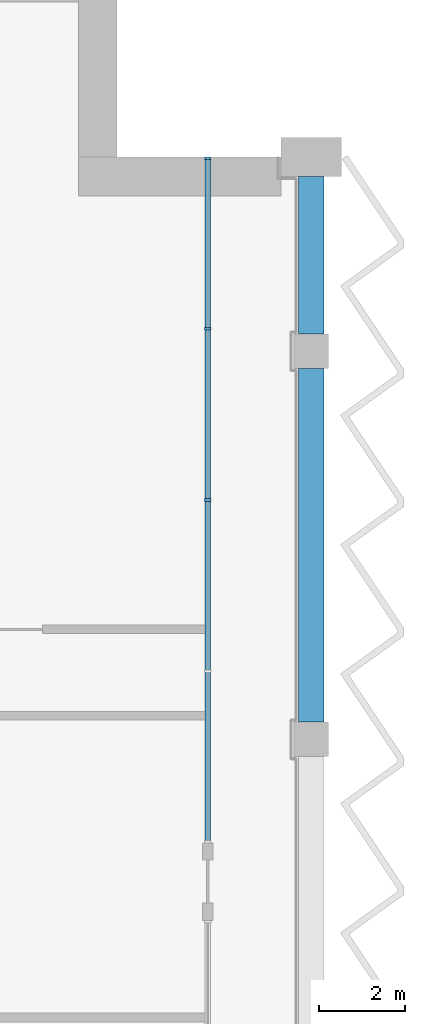
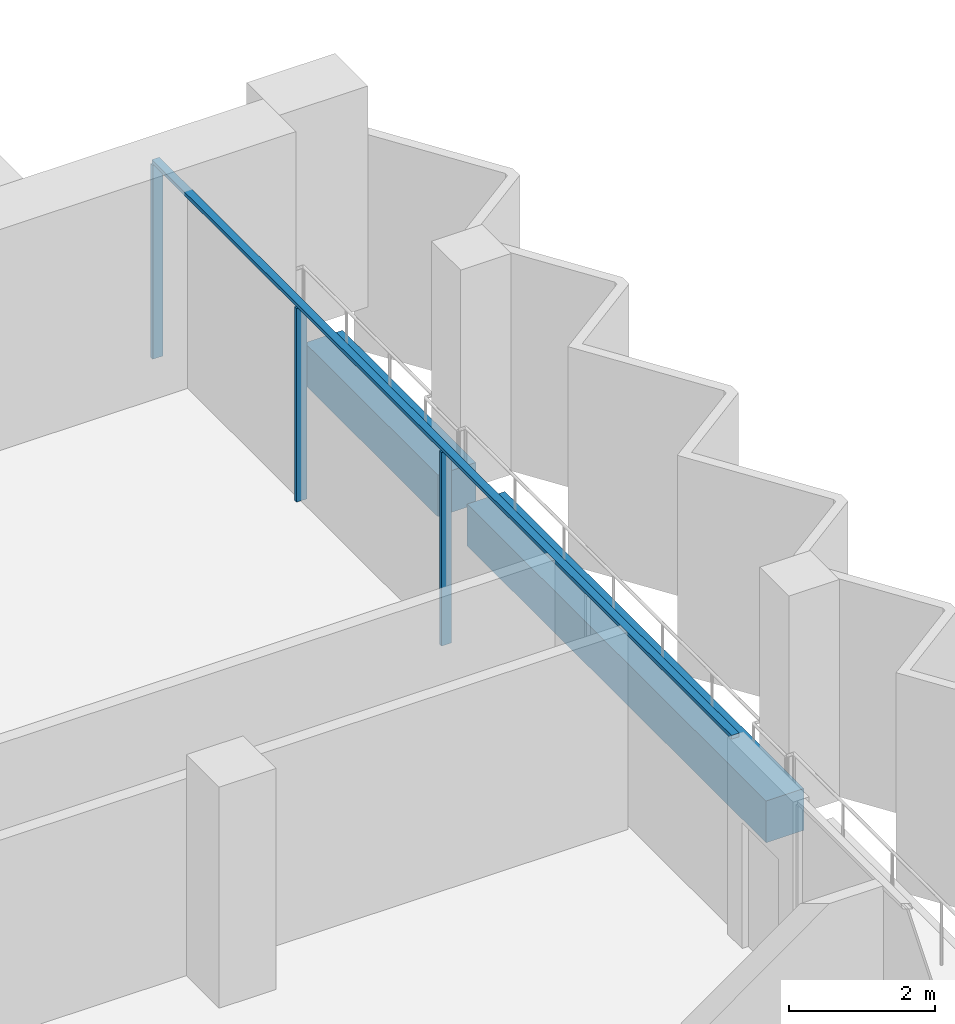
# One storey, part 5 of 14: 4 members, 2 beams, 1 element without a shape of its own.
"""IFC4 building model written with IfcOpenShell, lengths in metres."""

from ifc_helpers import new_model, si_unit, direction, frame, origin, origin_2d, place, context, subcontext, project, spatial, rectangle, extrude, material, material_profile, profile_set, type_object, element, aggregate, save


model = new_model("IFC4")

# Units and contexts
model_context = context("Model", 3, precision=1e-05, world=origin(), true_north=direction((0.0, 1.0)))
body_context = subcontext(model_context, "Body", "Model", "MODEL_VIEW")
ifc_project = project(units=[si_unit("LENGTHUNIT", "METRE"), si_unit("AREAUNIT", "SQUARE_METRE"), si_unit("VOLUMEUNIT", "CUBIC_METRE"), si_unit("PLANEANGLEUNIT", "RADIAN"), si_unit("MASSUNIT", "GRAM", prefix="KILO")], contexts=[model_context])

# Site, building, storey
site_placement = place(None, origin())
site = spatial("IfcSite", under=ifc_project, at=site_placement, CompositionType="ELEMENT")
building_placement = place(site_placement, origin())
building = spatial("IfcBuilding", under=site, at=building_placement, Name="Hunhe Ridgeline Campus", CompositionType="ELEMENT")
storey_placement = place(building_placement, frame((0.0, 0.0, 284.5)))
storey = spatial("IfcBuildingStorey", under=building, at=storey_placement, Name="L73", CompositionType="ELEMENT", Elevation=284.5)

# Curtain wall, members
ifc_material_1 = material(Name="Aluminium 6063", Category="aluminium")
curtain_wall_type = type_object("IfcCurtainWallType", Name="Curtain wall CW-1", PredefinedType="NOTDEFINED", material=ifc_material_1)
curtain_wall_placement = place(storey_placement, origin())
curtain_wall = element("IfcCurtainWall", 1, at=curtain_wall_placement, inside=storey, type_object=curtain_wall_type, Name="Curtain wall 12", PredefinedType="NOTDEFINED")
ifc_material_profile_1 = material_profile(ifc_material_1, rectangle(XDim=0.159912109375, YDim=0.06005859375, at=origin_2d()))
ifc_profile_set_1 = profile_set([ifc_material_profile_1], Name="Aluminium 6063")
member_type_1 = type_object("IfcMemberType", Name="CW-1 aluminium mullion", PredefinedType="MULLION", material=ifc_profile_set_1)
member_1_placement = place(storey_placement, frame((51.59912109375, 86.55029296875, 0.0), z_axis=(0.0, 0.0, 1.0), x_axis=(-1.0, 0.0, 0.0)))
member_1 = element("IfcMember", 2, at=member_1_placement, type_object=member_type_1, Name="CW-1 mullion 3", PredefinedType="MULLION", context=body_context, shape_type="SweptSolid", body=[
    extrude(rectangle(XDim=0.159912109375, YDim=0.06005859375, at=origin_2d()), origin(), (0.0, 0.0, 1.0), 3.239990234375),
])
member_2_placement = place(storey_placement, frame((51.59912109375, 90.525146484375, 0.0), z_axis=(0.0, 0.0, 1.0), x_axis=(-1.0, 0.0, 0.0)))
member_2 = element("IfcMember", 3, at=member_2_placement, type_object=member_type_1, Name="CW-1 mullion 4", PredefinedType="MULLION", context=body_context, shape_type="SweptSolid", body=[
    extrude(rectangle(XDim=0.159912109375, YDim=0.06005859375, at=origin_2d()), origin(), (0.0, 0.0, 1.0), 3.239990234375),
])
member_3_placement = place(storey_placement, frame((51.59912109375, 94.469970703125, 0.0), z_axis=(0.0, 0.0, 1.0), x_axis=(-1.0, 0.0, 0.0)))
member_3 = element("IfcMember", 4, at=member_3_placement, type_object=member_type_1, Name="CW-1 mullion 5", PredefinedType="MULLION", context=body_context, shape_type="SweptSolid", body=[
    extrude(rectangle(XDim=0.159912109375, YDim=0.06005859375, at=origin_2d()), origin(), (0.0, 0.0, 1.0), 3.239990234375),
])
ifc_material_profile_2 = material_profile(ifc_material_1, rectangle(XDim=0.1201171875, YDim=0.06005859375, at=origin_2d()))
ifc_profile_set_2 = profile_set([ifc_material_profile_2], Name="Aluminium 6063")
member_type_2 = type_object("IfcMemberType", Name="CW-1 aluminium transom", PredefinedType="USERDEFINED", material=ifc_profile_set_2)
member_4_placement = place(storey_placement, frame((51.59912109375, 78.6005859375, 3.27001953125), z_axis=(0.0, 1.0, 0.0), x_axis=(-1.0, 0.0, 0.0)))
member_4 = element("IfcMember", 5, at=member_4_placement, type_object=member_type_2, Name="CW-1 transom 1", ObjectType="TRANSOM", PredefinedType="USERDEFINED", context=body_context, shape_type="SweptSolid", body=[
    extrude(rectangle(XDim=0.1201171875, YDim=0.06005859375, at=origin_2d()), origin(), (0.0, 0.0, 1.0), 15.8994140625),
])
aggregate(curtain_wall, [member_4, member_1, member_2, member_3])

# Beams
ifc_material_2 = material(Name="Concrete C50", Category="concrete")
ifc_material_profile_3 = material_profile(ifc_material_2, rectangle(XDim=0.60009765625, YDim=0.699951171875, at=origin_2d()))
ifc_profile_set_3 = profile_set([ifc_material_profile_3], Name="Concrete C50")
beam_type = type_object("IfcBeamType", Name="RC spandrel beam 600x700 Concrete C50", PredefinedType="SPANDREL", material=ifc_profile_set_3)
beam_1_placement = place(storey_placement, frame((54.0, 81.39990234375, -0.60009765625), z_axis=(0.0, 1.0, 0.0), x_axis=(-1.0, 0.0, 0.0)))
element("IfcBeam", 6, at=beam_1_placement, inside=storey, type_object=beam_type, Name="Spandrel beam B4-15 L73", PredefinedType="SPANDREL", context=body_context, shape_type="SweptSolid", body=[
    extrude(rectangle(XDim=0.60009765625, YDim=0.699951171875, at=origin_2d()), origin(), (0.0, 0.0, 1.0), 8.2001953125),
])
beam_2_placement = place(storey_placement, frame((54.0, 90.39990234375, -0.60009765625), z_axis=(0.0, 1.0, 0.0), x_axis=(-1.0, 0.0, 0.0)))
element("IfcBeam", 7, at=beam_2_placement, inside=storey, type_object=beam_type, Name="Spandrel beam B4-16 L73", PredefinedType="SPANDREL", context=body_context, shape_type="SweptSolid", body=[
    extrude(rectangle(XDim=0.60009765625, YDim=0.699951171875, at=origin_2d()), origin(), (0.0, 0.0, 1.0), 3.650146484375),
])

save(model, "model.ifc")
